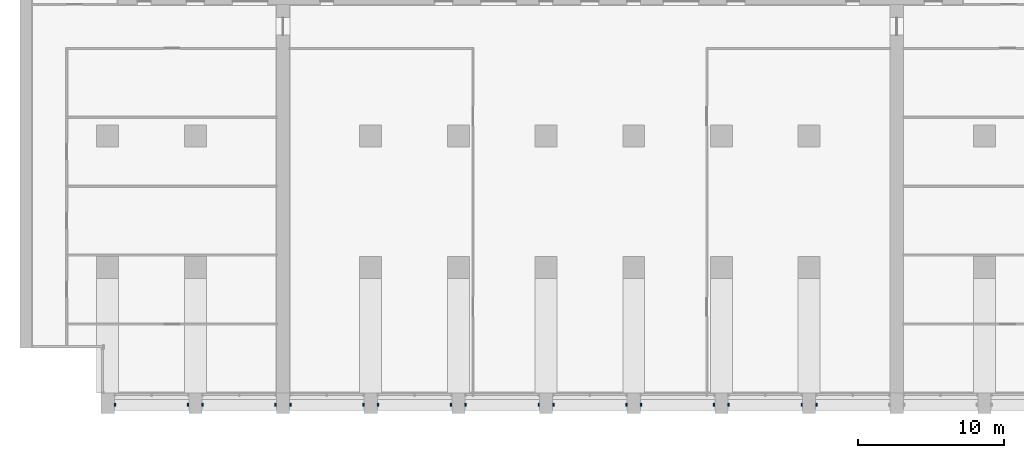
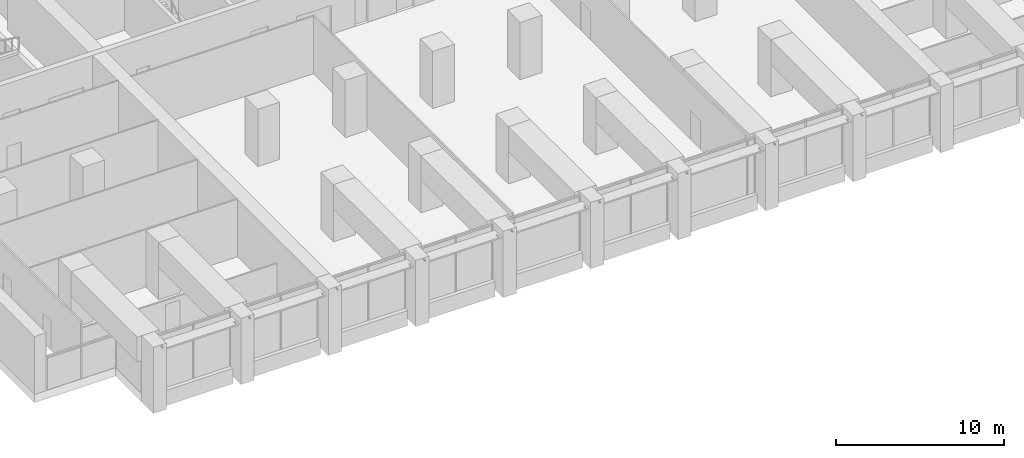
# One storey, part 14 of 18: 17 discrete accessories.
"""IFC4 building model written with IfcOpenShell, lengths in metres."""

from ifc_helpers import new_model, si_unit, direction, frame, origin, origin_2d, place, context, subcontext, project, spatial, rectangle, extrude, element, save


model = new_model("IFC4")

# Units and contexts
model_context = context("Model", 3, precision=1e-05, world=origin(), true_north=direction((0.0, 1.0)))
body_context = subcontext(model_context, "Body", "Model", "MODEL_VIEW")
ifc_project = project(units=[si_unit("LENGTHUNIT", "METRE"), si_unit("AREAUNIT", "SQUARE_METRE"), si_unit("VOLUMEUNIT", "CUBIC_METRE"), si_unit("PLANEANGLEUNIT", "RADIAN"), si_unit("MASSUNIT", "GRAM", prefix="KILO")], contexts=[model_context])

# Site, building, storey
site_placement = place(None, origin())
site = spatial("IfcSite", under=ifc_project, at=site_placement, CompositionType="ELEMENT")
building_placement = place(site_placement, origin())
building = spatial("IfcBuilding", under=site, at=building_placement, Name="Calvaro Tower", CompositionType="ELEMENT")
storey_placement = place(building_placement, frame((0.0, 0.0, 90.0)))
storey = spatial("IfcBuildingStorey", under=building, at=storey_placement, Name="L22", CompositionType="ELEMENT", Elevation=90.0)

# Discrete accessories
for number, where, z_axis, x_axis, name in (
    (1, (6.5, 0.60009765625, 3.5), (0.0, 0.0, 1.0), (1.0, 0.0, 0.0), "Brise-soleil bracket"),
    (2, (11.5, 0.60009765625, 3.5), (0.0, 0.0, 1.0), (1.0, 0.0, 0.0), "Brise-soleil bracket"),
    (3, (12.5, 0.60009765625, 3.5), (0.0, 0.0, 1.0), (1.0, 0.0, 0.0), "Brise-soleil bracket"),
    (4, (17.5, 0.60009765625, 3.5), (0.0, 0.0, 1.0), (1.0, 0.0, 0.0), "Brise-soleil bracket"),
    (5, (18.5, 0.60009765625, 3.5), (0.0, 0.0, 1.0), (1.0, 0.0, 0.0), "Brise-soleil bracket"),
    (6, (23.5, 0.60009765625, 3.5), (0.0, 0.0, 1.0), (1.0, 0.0, 0.0), "Brise-soleil bracket"),
    (7, (24.5, 0.60009765625, 3.5), (0.0, 0.0, 1.0), (1.0, 0.0, 0.0), "Brise-soleil bracket"),
    (8, (29.5, 0.60009765625, 3.5), (0.0, 0.0, 1.0), (1.0, 0.0, 0.0), "Brise-soleil bracket"),
    (9, (30.5, 0.60009765625, 3.5), (0.0, 0.0, 1.0), (1.0, 0.0, 0.0), "Brise-soleil bracket"),
    (10, (35.5, 0.60009765625, 3.5), (0.0, 0.0, 1.0), (1.0, 0.0, 0.0), "Brise-soleil bracket"),
    (11, (36.5, 0.60009765625, 3.5), (0.0, 0.0, 1.0), (1.0, 0.0, 0.0), "Brise-soleil bracket"),
    (12, (41.5, 0.60009765625, 3.5), (0.0, 0.0, 1.0), (1.0, 0.0, 0.0), "Brise-soleil bracket"),
    (13, (42.5, 0.60009765625, 3.5), (0.0, 0.0, 1.0), (1.0, 0.0, 0.0), "Brise-soleil bracket"),
    (14, (47.5, 0.60009765625, 3.5), (0.0, 0.0, 1.0), (1.0, 0.0, 0.0), "Brise-soleil bracket"),
    (15, (48.5, 0.60009765625, 3.5), (0.0, 0.0, 1.0), (1.0, 0.0, 0.0), "Brise-soleil bracket"),
    (16, (53.5, 0.60009765625, 3.5), (0.0, 0.0, 1.0), (1.0, 0.0, 0.0), "Brise-soleil bracket"),
    (17, (54.5, 0.60009765625, 3.5), (0.0, 0.0, 1.0), (1.0, 0.0, 0.0), "Brise-soleil bracket"),
):
    element("IfcDiscreteAccessory", number, at=place(storey_placement, frame(where, z_axis=z_axis, x_axis=x_axis)), inside=storey, Name=name, PredefinedType="BRACKET", context=body_context, shape_type="SweptSolid", body=[
        extrude(rectangle(XDim=0.10009765625, YDim=0.199951171875, at=origin_2d()), origin(), (0.0, 0.0, 1.0), 0.10009765625),
    ])

save(model, "model.ifc")
